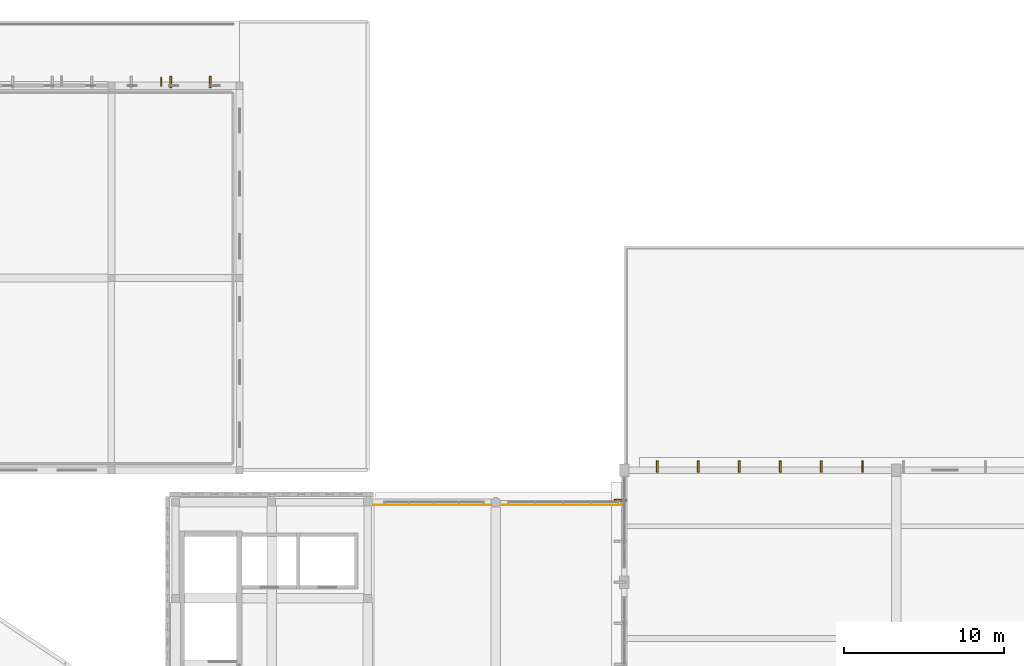
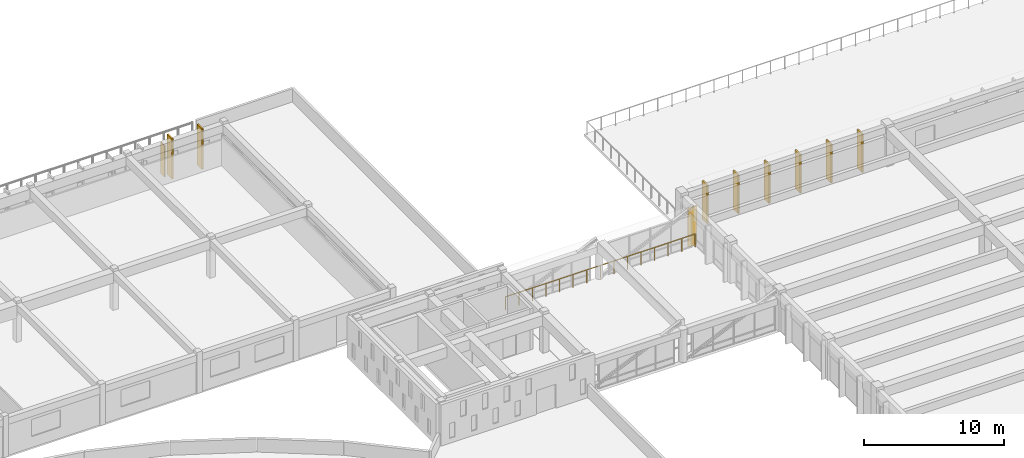
# One storey, part 71 of 77: 9 coverings, 1 railing, 1 shading device.
"""IFC4 building model written with IfcOpenShell, lengths in metres."""

from ifc_helpers import new_model, si_unit, direction, frame, origin, origin_2d, place, context, subcontext, project, spatial, rectangle, circle, extrude, material, layer, layer_set, type_object, element, save


model = new_model("IFC4")

# Units and contexts
model_context = context("Model", 3, precision=1e-05, world=origin(), true_north=direction((0.0, 1.0)))
body_context = subcontext(model_context, "Body", "Model", "MODEL_VIEW")
ifc_project = project(units=[si_unit("LENGTHUNIT", "METRE"), si_unit("AREAUNIT", "SQUARE_METRE"), si_unit("VOLUMEUNIT", "CUBIC_METRE"), si_unit("PLANEANGLEUNIT", "RADIAN"), si_unit("MASSUNIT", "GRAM", prefix="KILO")], contexts=[model_context])

# Site, building, storey
site_placement = place(None, origin())
site = spatial("IfcSite", under=ifc_project, at=site_placement, CompositionType="ELEMENT")
building_placement = place(site_placement, origin())
building = spatial("IfcBuilding", under=site, at=building_placement, Name="Larkveld Mobility Hub", CompositionType="ELEMENT")
storey_placement = place(building_placement, frame((0.0, 0.0, 12.0)))
storey = spatial("IfcBuildingStorey", under=building, at=storey_placement, Name="L03", CompositionType="ELEMENT", Elevation=12.0)

# Coverings
ifc_material_1 = material(Name="Precast concrete C50/60", Category="concrete")
ifc_layer_1 = layer(ifc_material_1, 0.1201171875, Name="Precast concrete C50/60", Category="concrete")
ifc_layer_set_1 = layer_set([ifc_layer_1], Name="Precast concrete C50/60")
covering_type = type_object("IfcCoveringType", Name="COV-QSL-V01", PredefinedType="CLADDING", material=ifc_layer_set_1)
for number, where, z_axis, x_axis, name in (
    (1, (86.1669921875, 122.239990234375, -0.02001953125), (0.0, 0.0, 1.0), (-1.0, 0.0, 0.0), "Precast Quebra-Sol Vertical Fin QSV-172"),
    (2, (83.699951171875, 122.239990234375, -0.02001953125), (0.0, 0.0, 1.0), (-1.0, 0.0, 0.0), "Precast Quebra-Sol Vertical Fin QSV-173"),
):
    element("IfcCovering", number, at=place(storey_placement, frame(where, z_axis=z_axis, x_axis=x_axis)), inside=storey, type_object=covering_type, Name=name, PredefinedType="CLADDING", context=body_context, shape_type="SweptSolid", body=[
        extrude(rectangle(XDim=0.1201171875, YDim=0.719970703125, at=origin_2d()), origin(), (0.0, 0.0, 1.0), 3.52001953125),
    ])
for number, where, z_axis, x_axis, name in (
    (3, (111.760009765625, 96.1201171875, -0.01953125), (0.0, 0.0, 1.0), (0.0, -1.0, 0.0), "Precast Quebra-Sol Vertical Fin QSV-525"),
    (4, (126.8798828125, 98.239990234375, -0.01953125), (0.0, 0.0, 1.0), (-1.0, 0.0, 0.0), "Precast Quebra-Sol Vertical Fin QSV-539"),
    (5, (124.320068359375, 98.239990234375, -0.01953125), (0.0, 0.0, 1.0), (-1.0, 0.0, 0.0), "Precast Quebra-Sol Vertical Fin QSV-540"),
    (6, (121.760009765625, 98.239990234375, -0.01953125), (0.0, 0.0, 1.0), (-1.0, 0.0, 0.0), "Precast Quebra-Sol Vertical Fin QSV-541"),
    (7, (119.199951171875, 98.239990234375, -0.01953125), (0.0, 0.0, 1.0), (-1.0, 0.0, 0.0), "Precast Quebra-Sol Vertical Fin QSV-542"),
    (8, (116.639892578125, 98.239990234375, -0.01953125), (0.0, 0.0, 1.0), (-1.0, 0.0, 0.0), "Precast Quebra-Sol Vertical Fin QSV-543"),
    (9, (114.080078125, 98.239990234375, -0.01953125), (0.0, 0.0, 1.0), (-1.0, 0.0, 0.0), "Precast Quebra-Sol Vertical Fin QSV-544"),
):
    element("IfcCovering", number, at=place(storey_placement, frame(where, z_axis=z_axis, x_axis=x_axis)), inside=storey, type_object=covering_type, Name=name, PredefinedType="CLADDING", context=body_context, shape_type="SweptSolid", body=[
        extrude(rectangle(XDim=0.1201171875, YDim=0.719970703125, at=origin_2d()), origin(), (0.0, 0.0, 1.0), 3.375),
    ])

# Railing
ifc_material_2 = material(Name="Galvanized Steel S355JR vehicle-deck guard", Category="steel")
railing_type = type_object("IfcRailingType", Name="RL-GRD-RMP", PredefinedType="GUARDRAIL", material=ifc_material_2)
railing_placement = place(storey_placement, frame((96.14990234375, 95.820068359375, 0.0)))
element("IfcRailing", 10, at=railing_placement, inside=storey, type_object=railing_type, Name="Footbridge L03 North Safety Rail L03-026", PredefinedType="GUARDRAIL", context=body_context, shape_type="SweptSolid", body=[
    extrude(circle(Radius=0.02392578125, at=origin_2d()), frame((0.0, 0.0, 1.1259765625), z_axis=(1.0, 0.0, 0.0), x_axis=(0.0, 1.0, 0.0)), (0.0, 0.0, 1.0), 15.7001953125),
    extrude(circle(Radius=0.02099609375, at=origin_2d()), origin(), (0.0, 0.0, 1.0), 1.101806640625),
    extrude(circle(Radius=0.02099609375, at=origin_2d()), frame((1.121337890625, 0.0, 0.0)), (0.0, 0.0, 1.0), 1.101806640625),
    extrude(circle(Radius=0.02099609375, at=origin_2d()), frame((2.242919921875, 0.0, 0.0)), (0.0, 0.0, 1.0), 1.101806640625),
    extrude(circle(Radius=0.02099609375, at=origin_2d()), frame((3.3642578125, 0.0, 0.0)), (0.0, 0.0, 1.0), 1.101806640625),
    extrude(circle(Radius=0.02099609375, at=origin_2d()), frame((4.48583984375, 0.0, 0.0)), (0.0, 0.0, 1.0), 1.101806640625),
    extrude(circle(Radius=0.02099609375, at=origin_2d()), frame((5.607177734375, 0.0, 0.0)), (0.0, 0.0, 1.0), 1.101806640625),
    extrude(circle(Radius=0.02099609375, at=origin_2d()), frame((6.728759765625, 0.0, 0.0)), (0.0, 0.0, 1.0), 1.101806640625),
    extrude(circle(Radius=0.02099609375, at=origin_2d()), frame((7.85009765625, 0.0, 0.0)), (0.0, 0.0, 1.0), 1.101806640625),
    extrude(circle(Radius=0.02099609375, at=origin_2d()), frame((8.971435546875, 0.0, 0.0)), (0.0, 0.0, 1.0), 1.101806640625),
    extrude(circle(Radius=0.02099609375, at=origin_2d()), frame((10.093017578125, 0.0, 0.0)), (0.0, 0.0, 1.0), 1.101806640625),
    extrude(circle(Radius=0.02099609375, at=origin_2d()), frame((11.21435546875, 0.0, 0.0)), (0.0, 0.0, 1.0), 1.101806640625),
    extrude(circle(Radius=0.02099609375, at=origin_2d()), frame((12.3359375, 0.0, 0.0)), (0.0, 0.0, 1.0), 1.101806640625),
    extrude(circle(Radius=0.02099609375, at=origin_2d()), frame((13.457275390625, 0.0, 0.0)), (0.0, 0.0, 1.0), 1.101806640625),
    extrude(circle(Radius=0.02099609375, at=origin_2d()), frame((14.578857421875, 0.0, 0.0)), (0.0, 0.0, 1.0), 1.101806640625),
    extrude(circle(Radius=0.02099609375, at=origin_2d()), frame((15.7001953125, 0.0, 0.0)), (0.0, 0.0, 1.0), 1.101806640625),
])

# Shading device
ifc_layer_2 = layer(ifc_material_1, 0.074951171875, Name="Precast concrete C50/60", Category="concrete")
ifc_layer_set_2 = layer_set([ifc_layer_2], Name="Precast concrete C50/60")
shading_device_type = type_object("IfcShadingDeviceType", Name="SHD-JAL-02", PredefinedType="JALOUSIE", material=ifc_layer_set_2)
shading_device_placement = place(storey_placement, frame((83.10595703125, 122.2548828125, 0.2998046875), z_axis=(0.0, 0.0, 1.0), x_axis=(1.0, 0.0, 0.0)))
element("IfcShadingDevice", 11, at=shading_device_placement, inside=storey, type_object=shading_device_type, Name="North Facade Sunshade Fin NF-061", PredefinedType="JALOUSIE", context=body_context, shape_type="SweptSolid", body=[
    extrude(rectangle(XDim=0.074951171875, YDim=0.550048828125, at=origin_2d()), origin(), (0.0, 0.0, 1.0), 2.760009765625),
])

save(model, "model.ifc")
